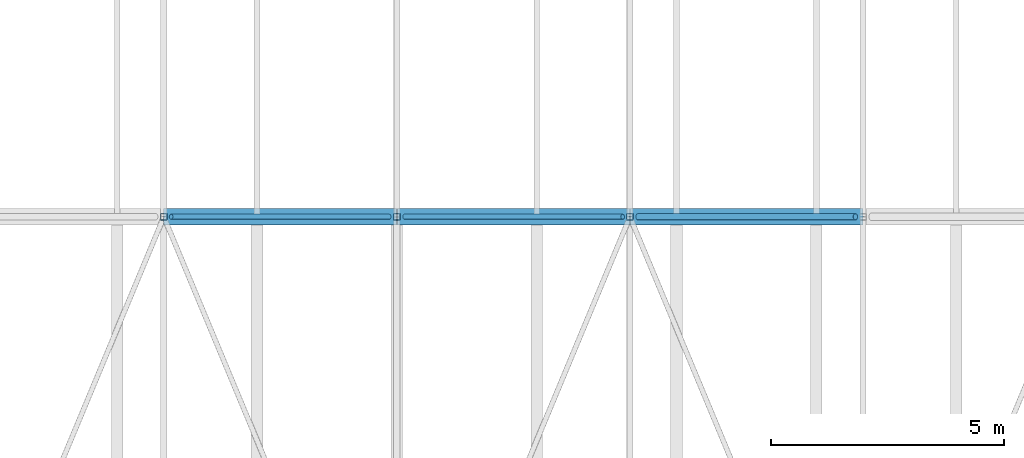
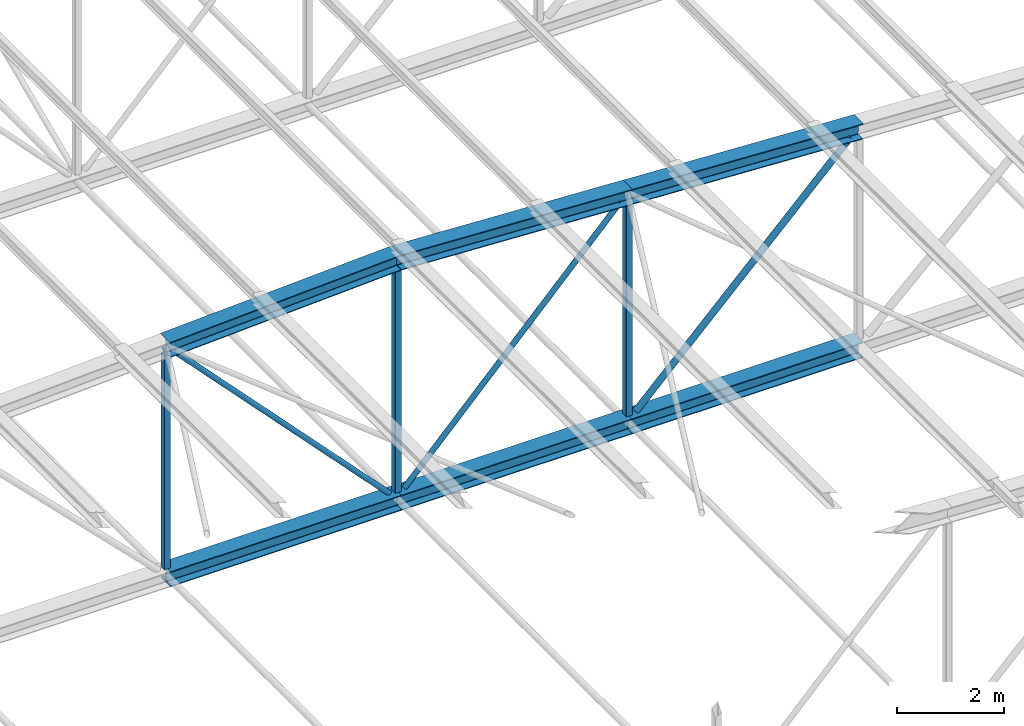
# One storey, part 37 of 156: 12 members.
"""IFC4 building model written with IfcOpenShell, lengths in metres."""

from ifc_helpers import new_model, si_unit, direction, frame, origin, origin_2d, place, context, subcontext, project, spatial, hollow_rectangle, hollow_circle, i_section, extrude, material, material_profile, profile_set, type_object, element, save


model = new_model("IFC4")

# Units and contexts
model_context = context("Model", 3, precision=1e-05, world=origin(), true_north=direction((0.0, 1.0)))
body_context = subcontext(model_context, "Body", "Model", "MODEL_VIEW")
ifc_project = project(units=[si_unit("LENGTHUNIT", "METRE"), si_unit("AREAUNIT", "SQUARE_METRE"), si_unit("VOLUMEUNIT", "CUBIC_METRE"), si_unit("PLANEANGLEUNIT", "RADIAN"), si_unit("MASSUNIT", "GRAM", prefix="KILO")], contexts=[model_context])

# Site, building, storey
site_placement = place(None, origin())
site = spatial("IfcSite", under=ifc_project, at=site_placement, CompositionType="ELEMENT")
building_placement = place(site_placement, origin())
building = spatial("IfcBuilding", under=site, at=building_placement, Name="Lilac Gate Convention Centre", CompositionType="ELEMENT")
storey_placement = place(building_placement, frame((0.0, 0.0, 17.0)))
storey = spatial("IfcBuildingStorey", under=building, at=storey_placement, Name="L03", CompositionType="ELEMENT", Elevation=17.0)

# Members
ifc_material = material(Name="Steel Q355B", Category="steel")
ifc_material_profile_1 = material_profile(ifc_material, i_section(OverallWidth=0.35693359375, OverallDepth=0.35009765625, WebThickness=0.01904296875, FlangeThickness=0.01904296875, FilletRadius=0.012939453125, at=origin_2d()), Name="HW350x357x19x19")
ifc_profile_set_1 = profile_set([ifc_material_profile_1], Name="Steel Q355B")
member_type_1 = type_object("IfcMemberType", Name="Truss bottom chord HW350x357x19x19", PredefinedType="CHORD", material=ifc_profile_set_1)
for number, where, z_axis, x_axis, name in (
    (1, (55.0, 90.0, 0.0), (1.0, 0.0, 0.0), (0.0, 1.0, 0.0), "TB3 truss 6 bottom chord 6"),
    (2, (60.0, 90.0, 0.0), (1.0, 0.0, 0.0), (0.0, 1.0, 0.0), "TB3 truss 6 bottom chord 7"),
    (3, (65.0, 90.0, 0.0), (1.0, 0.0, 0.0), (0.0, 1.0, 0.0), "TB3 truss 6 bottom chord 8"),
):
    element("IfcMember", number, at=place(storey_placement, frame(where, z_axis=z_axis, x_axis=x_axis)), inside=storey, type_object=member_type_1, Name=name, PredefinedType="CHORD", context=body_context, shape_type="SweptSolid", body=[
        extrude(i_section(OverallWidth=0.35693359375, OverallDepth=0.35009765625, WebThickness=0.01904296875, FlangeThickness=0.01904296875, FilletRadius=0.012939453125, at=origin_2d()), origin(), (0.0, 0.0, 1.0), 5.0),
    ])
ifc_material_profile_2 = material_profile(ifc_material, hollow_circle(Radius=0.05712890625, WallThickness=0.0048828125, at=origin_2d()), Name="CHS114.3x5")
ifc_profile_set_2 = profile_set([ifc_material_profile_2], Name="Steel Q355B")
member_type_2 = type_object("IfcMemberType", Name="Truss diagonal CHS114.3x5", PredefinedType="BRACE", material=ifc_profile_set_2)
for number, where, z_axis, x_axis, name in (
    (4, (55.156494140625, 90.0, 5.085693359375), (0.6896515765, 0.0, -0.724141355697), (0.0, 1.0, 0.0), "TW6 truss 6 diagonal 6"),
    (5, (64.843505859375, 90.0, 5.085693359375), (-0.6896515765, 0.0, -0.724141355697), (0.0, -1.0, 0.0), "TW6 truss 6 diagonal 7"),
):
    element("IfcMember", number, at=place(storey_placement, frame(where, z_axis=z_axis, x_axis=x_axis)), inside=storey, type_object=member_type_2, Name=name, PredefinedType="BRACE", context=body_context, shape_type="SweptSolid", body=[
        extrude(hollow_circle(Radius=0.05712890625, WallThickness=0.0048828125, at=origin_2d()), origin(), (0.0, 0.0, 1.0), 6.78125),
    ])
ifc_material_profile_3 = material_profile(ifc_material, hollow_circle(Radius=0.06982421875, WallThickness=0.006103515625, at=origin_2d()), Name="CHS139.7x6")
ifc_profile_set_3 = profile_set([ifc_material_profile_3], Name="Steel Q355B")
member_type_3 = type_object("IfcMemberType", Name="Truss diagonal CHS139.7x6", PredefinedType="BRACE", material=ifc_profile_set_3)
member_1_placement = place(storey_placement, frame((69.835693359375, 90.0, 4.835693359375), z_axis=(-0.707106781187, 0.0, -0.707106781187), x_axis=(0.0, -1.0, 0.0)))
element("IfcMember", 6, at=member_1_placement, inside=storey, type_object=member_type_3, Name="TW5 truss 6 diagonal 8", PredefinedType="BRACE", context=body_context, shape_type="SweptSolid", body=[
    extrude(hollow_circle(Radius=0.06982421875, WallThickness=0.006103515625, at=origin_2d()), origin(), (0.0, 0.0, 1.0), 6.591064453125),
])
ifc_material_profile_4 = material_profile(ifc_material, i_section(OverallWidth=0.35009765625, OverallDepth=0.35009765625, WebThickness=0.011962890625, FlangeThickness=0.01904296875, FilletRadius=0.012939453125, at=origin_2d()), Name="HW350x350x12x19")
ifc_profile_set_4 = profile_set([ifc_material_profile_4], Name="Steel Q355B")
member_type_4 = type_object("IfcMemberType", Name="Truss top chord HW350x350x12x19", PredefinedType="CHORD", material=ifc_profile_set_4)
member_2_placement = place(storey_placement, frame((65.0, 90.0, 5.25), z_axis=(0.998752338878, 0.0, -0.049937616944), x_axis=(0.0, 1.0, 0.0)))
element("IfcMember", 7, at=member_2_placement, inside=storey, type_object=member_type_4, Name="TT2 truss 6 top chord 8", PredefinedType="CHORD", context=body_context, shape_type="SweptSolid", body=[
    extrude(i_section(OverallWidth=0.35009765625, OverallDepth=0.35009765625, WebThickness=0.011962890625, FlangeThickness=0.01904296875, FilletRadius=0.012939453125, at=origin_2d()), origin(), (0.0, 0.0, 1.0), 5.00634765625),
])
ifc_material_profile_5 = material_profile(ifc_material, i_section(OverallWidth=0.35693359375, OverallDepth=0.35009765625, WebThickness=0.01904296875, FlangeThickness=0.01904296875, FilletRadius=0.012939453125, at=origin_2d()), Name="HW350x357x19x19")
ifc_profile_set_5 = profile_set([ifc_material_profile_5], Name="Steel Q355B")
member_type_5 = type_object("IfcMemberType", Name="Truss top chord HW350x357x19x19", PredefinedType="CHORD", material=ifc_profile_set_5)
for number, where, z_axis, x_axis, name in (
    (8, (55.0, 90.0, 5.25), (0.998752338878, 0.0, 0.049937616944), (0.0, 1.0, 0.0), "TT3 truss 6 top chord 6"),
    (9, (60.0, 90.0, 5.5), (0.998752338878, 0.0, -0.049937616944), (0.0, 1.0, 0.0), "TT3 truss 6 top chord 7"),
):
    element("IfcMember", number, at=place(storey_placement, frame(where, z_axis=z_axis, x_axis=x_axis)), inside=storey, type_object=member_type_5, Name=name, PredefinedType="CHORD", context=body_context, shape_type="SweptSolid", body=[
        extrude(i_section(OverallWidth=0.35693359375, OverallDepth=0.35009765625, WebThickness=0.01904296875, FlangeThickness=0.01904296875, FilletRadius=0.012939453125, at=origin_2d()), origin(), (0.0, 0.0, 1.0), 5.00634765625),
    ])
ifc_material_profile_6 = material_profile(ifc_material, hollow_rectangle(XDim=0.139892578125, YDim=0.139892578125, WallThickness=0.0048828125, InnerFilletRadius=0.0048828125, OuterFilletRadius=0.010009765625, at=origin_2d()), Name="SHS140x140x5")
ifc_profile_set_6 = profile_set([ifc_material_profile_6], Name="Steel Q355B")
member_type_6 = type_object("IfcMemberType", Name="Truss vertical SHS140x140x5", PredefinedType="STRUT", material=ifc_profile_set_6)
member_3_placement = place(storey_placement, frame((55.0, 90.0, 0.175048828125), z_axis=(0.0, 0.0, 1.0), x_axis=(1.0, 0.0, 0.0)))
element("IfcMember", 10, at=member_3_placement, inside=storey, type_object=member_type_6, Name="TV4 truss 6 vertical 6", PredefinedType="STRUT", context=body_context, shape_type="SweptSolid", body=[
    extrude(hollow_rectangle(XDim=0.139892578125, YDim=0.139892578125, WallThickness=0.0048828125, InnerFilletRadius=0.0048828125, OuterFilletRadius=0.010009765625, at=origin_2d()), origin(), (0.0, 0.0, 1.0), 4.899658203125),
])
member_4_placement = place(storey_placement, frame((60.0, 90.0, 0.175048828125), z_axis=(0.0, 0.0, 1.0), x_axis=(1.0, 0.0, 0.0)))
element("IfcMember", 11, at=member_4_placement, inside=storey, type_object=member_type_6, Name="TV4 truss 6 vertical 7", PredefinedType="STRUT", context=body_context, shape_type="SweptSolid", body=[
    extrude(hollow_rectangle(XDim=0.139892578125, YDim=0.139892578125, WallThickness=0.0048828125, InnerFilletRadius=0.0048828125, OuterFilletRadius=0.010009765625, at=origin_2d()), origin(), (0.0, 0.0, 1.0), 5.149658203125),
])
member_5_placement = place(storey_placement, frame((65.0, 90.0, 0.175048828125), z_axis=(0.0, 0.0, 1.0), x_axis=(1.0, 0.0, 0.0)))
element("IfcMember", 12, at=member_5_placement, inside=storey, type_object=member_type_6, Name="TV4 truss 6 vertical 8", PredefinedType="STRUT", context=body_context, shape_type="SweptSolid", body=[
    extrude(hollow_rectangle(XDim=0.139892578125, YDim=0.139892578125, WallThickness=0.0048828125, InnerFilletRadius=0.0048828125, OuterFilletRadius=0.010009765625, at=origin_2d()), origin(), (0.0, 0.0, 1.0), 4.899658203125),
])

save(model, "model.ifc")
